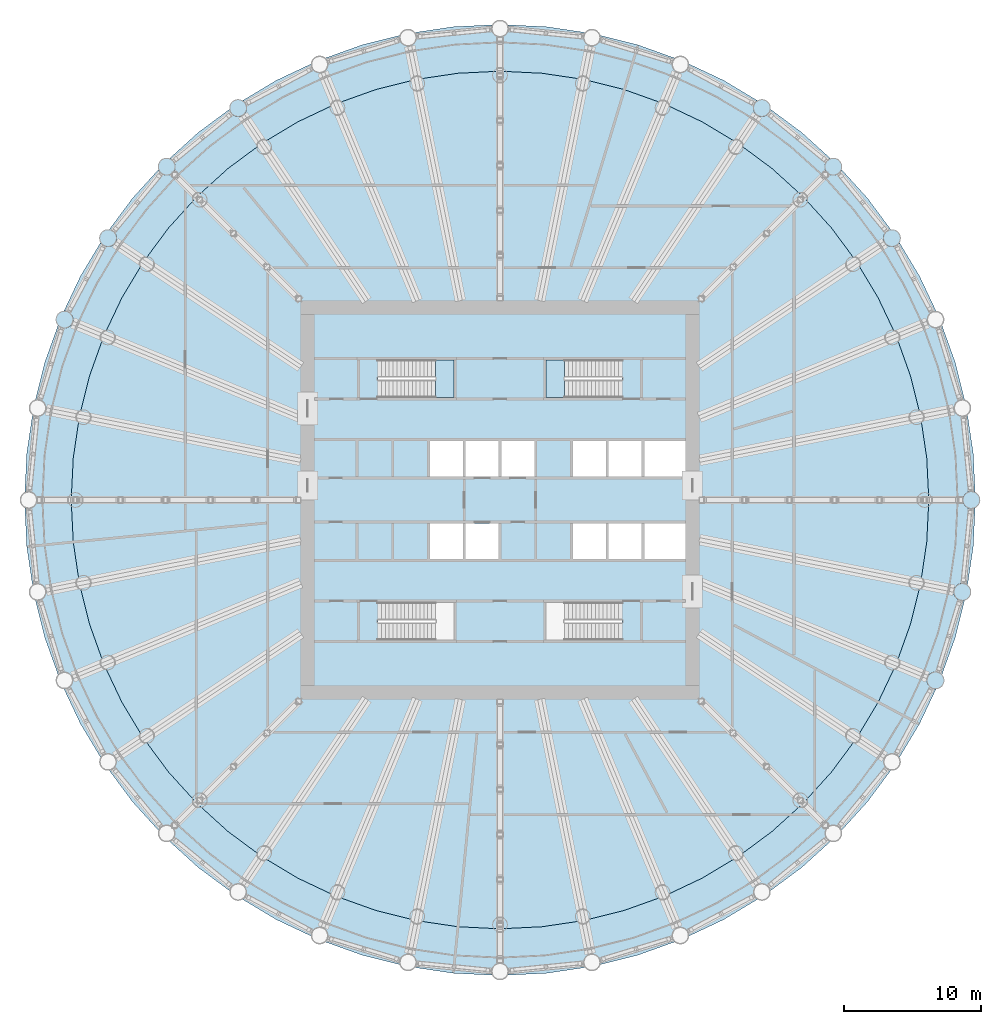
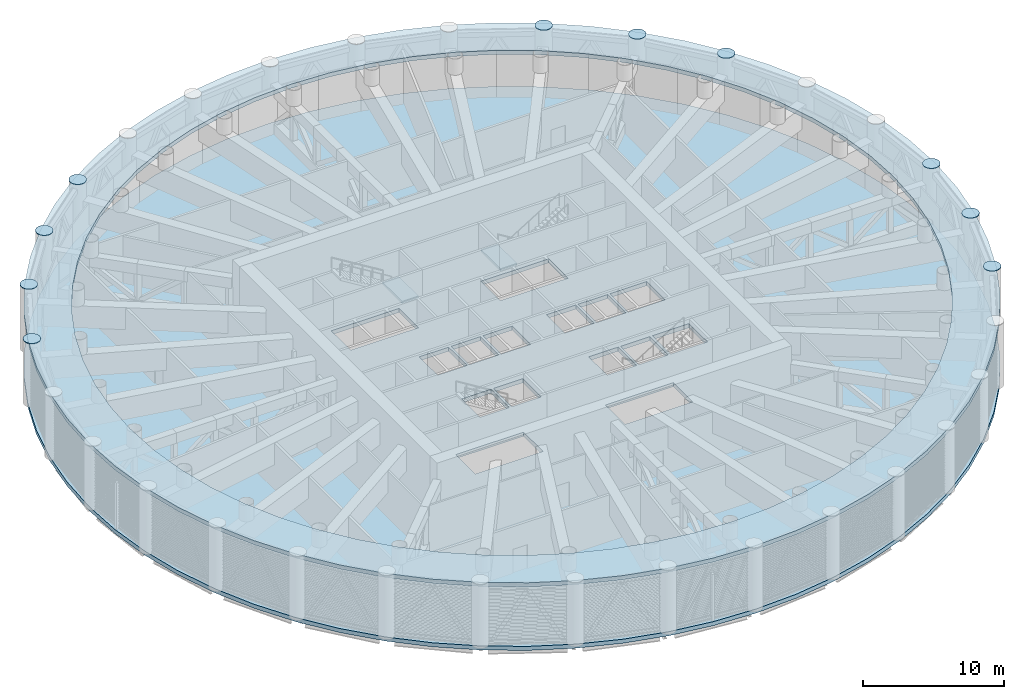
# One storey, part 10 of 29: 10 plates, 4 slabs, 2 elements without a shape of their own.
"""IFC4 building model written with IfcOpenShell, lengths in metres."""

from ifc_helpers import new_model, si_unit, direction, frame, origin, place, context, subcontext, project, spatial, polyline, outline, extrude, material, layer, layer_set, type_object, element, aggregate, save


model = new_model("IFC4")

# Units and contexts
model_context = context("Model", 3, precision=1e-05, world=origin(), true_north=direction((0.0, 1.0)))
body_context = subcontext(model_context, "Body", "Model", "MODEL_VIEW")
ifc_project = project(units=[si_unit("LENGTHUNIT", "METRE"), si_unit("AREAUNIT", "SQUARE_METRE"), si_unit("VOLUMEUNIT", "CUBIC_METRE"), si_unit("PLANEANGLEUNIT", "RADIAN"), si_unit("MASSUNIT", "GRAM", prefix="KILO")], contexts=[model_context])

# Site, building, storey
site_placement = place(None, origin())
site = spatial("IfcSite", under=ifc_project, at=site_placement, CompositionType="ELEMENT")
building_placement = place(site_placement, origin())
building = spatial("IfcBuilding", under=site, at=building_placement, Name="Corvane Civic Tower", CompositionType="ELEMENT")
storey_placement = place(building_placement, frame((0.0, 0.0, 138.5)))
storey = spatial("IfcBuildingStorey", under=building, at=storey_placement, Name="L32", CompositionType="ELEMENT", Elevation=138.5)

# Plates
ifc_material_1 = material(Name="Steel ASTM A572 Gr 50", Category="steel")
ifc_layer_1 = layer(ifc_material_1, 0.050048828125)
ifc_layer_set_1 = layer_set([ifc_layer_1], Name="Steel ASTM A572 Gr 50")
plate_type = type_object("IfcPlateType", Name="COLUMN CAP PLATE 50", PredefinedType="SHEET", material=ifc_layer_set_1)
plate_1_placement = place(storey_placement, frame((0.0, 0.0, 5.5)))
element("IfcPlate", 1, at=plate_1_placement, inside=storey, type_object=plate_type, Name="PL-L32-cap-B04", PredefinedType="SHEET", context=body_context, shape_type="SweptSolid", body=[
    extrude(outline(polyline([(19.68115234375, 28.519287109375), (19.67578125, 28.600830078125), (19.659912109375, 28.680908203125), (19.633544921875, 28.758544921875), (19.597412109375, 28.831787109375), (19.552001953125, 28.89990234375), (19.498046875, 28.961181640625), (19.4365234375, 29.01513671875), (19.36865234375, 29.060546875), (19.29541015625, 29.0966796875), (19.218017578125, 29.123046875), (19.1376953125, 29.138916015625), (19.05615234375, 29.144287109375), (18.974609375, 29.138916015625), (18.894287109375, 29.123046875), (18.81689453125, 29.0966796875), (18.74365234375, 29.060546875), (18.67578125, 29.01513671875), (18.6142578125, 28.961181640625), (18.560302734375, 28.89990234375), (18.514892578125, 28.831787109375), (18.478759765625, 28.758544921875), (18.452392578125, 28.680908203125), (18.4365234375, 28.600830078125), (18.43115234375, 28.519287109375), (18.4365234375, 28.437744140625), (18.452392578125, 28.357421875), (18.478759765625, 28.280029296875), (18.514892578125, 28.206787109375), (18.560302734375, 28.138916015625), (18.6142578125, 28.077392578125), (18.67578125, 28.0234375), (18.74365234375, 27.97802734375), (18.81689453125, 27.94189453125), (18.894287109375, 27.91552734375), (18.974609375, 27.899658203125), (19.05615234375, 27.894287109375), (19.1376953125, 27.899658203125), (19.218017578125, 27.91552734375), (19.29541015625, 27.94189453125), (19.36865234375, 27.97802734375), (19.4365234375, 28.0234375), (19.498046875, 28.077392578125), (19.552001953125, 28.138916015625), (19.597412109375, 28.206787109375), (19.633544921875, 28.280029296875), (19.659912109375, 28.357421875), (19.67578125, 28.437744140625), (19.68115234375, 28.519287109375)])), origin(), (0.0, 0.0, 1.0), 0.050048828125),
])
plate_2_placement = place(storey_placement, frame((0.0, 0.0, 5.5)))
element("IfcPlate", 2, at=plate_2_placement, inside=storey, type_object=plate_type, Name="PL-L32-cap-B05", PredefinedType="SHEET", context=body_context, shape_type="SweptSolid", body=[
    extrude(outline(polyline([(24.878662109375, 24.253662109375), (24.873291015625, 24.335205078125), (24.857421875, 24.415283203125), (24.8310546875, 24.492919921875), (24.794921875, 24.566162109375), (24.74951171875, 24.634033203125), (24.695556640625, 24.695556640625), (24.634033203125, 24.74951171875), (24.566162109375, 24.794921875), (24.492919921875, 24.8310546875), (24.415283203125, 24.857421875), (24.335205078125, 24.873291015625), (24.253662109375, 24.878662109375), (24.172119140625, 24.873291015625), (24.091796875, 24.857421875), (24.014404296875, 24.8310546875), (23.941162109375, 24.794921875), (23.873291015625, 24.74951171875), (23.811767578125, 24.695556640625), (23.7578125, 24.634033203125), (23.71240234375, 24.566162109375), (23.67626953125, 24.492919921875), (23.64990234375, 24.415283203125), (23.634033203125, 24.335205078125), (23.628662109375, 24.253662109375), (23.634033203125, 24.172119140625), (23.64990234375, 24.091796875), (23.67626953125, 24.014404296875), (23.71240234375, 23.941162109375), (23.7578125, 23.873291015625), (23.811767578125, 23.811767578125), (23.873291015625, 23.7578125), (23.941162109375, 23.71240234375), (24.014404296875, 23.67626953125), (24.091796875, 23.64990234375), (24.172119140625, 23.634033203125), (24.253662109375, 23.628662109375), (24.335205078125, 23.634033203125), (24.415283203125, 23.64990234375), (24.492919921875, 23.67626953125), (24.566162109375, 23.71240234375), (24.634033203125, 23.7578125), (24.695556640625, 23.811767578125), (24.74951171875, 23.873291015625), (24.794921875, 23.941162109375), (24.8310546875, 24.014404296875), (24.857421875, 24.091796875), (24.873291015625, 24.172119140625), (24.878662109375, 24.253662109375)])), origin(), (0.0, 0.0, 1.0), 0.050048828125),
])
plate_3_placement = place(storey_placement, frame((0.0, 0.0, 5.5)))
element("IfcPlate", 3, at=plate_3_placement, inside=storey, type_object=plate_type, Name="PL-L32-cap-B06", PredefinedType="SHEET", context=body_context, shape_type="SweptSolid", body=[
    extrude(outline(polyline([(29.144287109375, 19.05615234375), (29.138916015625, 19.1376953125), (29.123046875, 19.218017578125), (29.0966796875, 19.29541015625), (29.060546875, 19.36865234375), (29.01513671875, 19.4365234375), (28.961181640625, 19.498046875), (28.89990234375, 19.552001953125), (28.831787109375, 19.597412109375), (28.758544921875, 19.633544921875), (28.680908203125, 19.659912109375), (28.600830078125, 19.67578125), (28.519287109375, 19.68115234375), (28.437744140625, 19.67578125), (28.357421875, 19.659912109375), (28.280029296875, 19.633544921875), (28.206787109375, 19.597412109375), (28.138916015625, 19.552001953125), (28.077392578125, 19.498046875), (28.0234375, 19.4365234375), (27.97802734375, 19.36865234375), (27.94189453125, 19.29541015625), (27.91552734375, 19.218017578125), (27.899658203125, 19.1376953125), (27.894287109375, 19.05615234375), (27.899658203125, 18.974609375), (27.91552734375, 18.894287109375), (27.94189453125, 18.81689453125), (27.97802734375, 18.74365234375), (28.0234375, 18.67578125), (28.077392578125, 18.6142578125), (28.138916015625, 18.560302734375), (28.206787109375, 18.514892578125), (28.280029296875, 18.478759765625), (28.357421875, 18.452392578125), (28.437744140625, 18.4365234375), (28.519287109375, 18.43115234375), (28.600830078125, 18.4365234375), (28.680908203125, 18.452392578125), (28.758544921875, 18.478759765625), (28.831787109375, 18.514892578125), (28.89990234375, 18.560302734375), (28.961181640625, 18.6142578125), (29.01513671875, 18.67578125), (29.060546875, 18.74365234375), (29.0966796875, 18.81689453125), (29.123046875, 18.894287109375), (29.138916015625, 18.974609375), (29.144287109375, 19.05615234375)])), origin(), (0.0, 0.0, 1.0), 0.050048828125),
])
plate_4_placement = place(storey_placement, frame((0.0, 0.0, 5.5)))
element("IfcPlate", 4, at=plate_4_placement, inside=storey, type_object=plate_type, Name="PL-L32-cap-B09", PredefinedType="SHEET", context=body_context, shape_type="SweptSolid", body=[
    extrude(outline(polyline([(34.925048828125, 0.0), (34.919677734375, 0.08154296875), (34.90380859375, 0.161865234375), (34.87744140625, 0.2392578125), (34.84130859375, 0.3125), (34.7958984375, 0.380615234375), (34.741943359375, 0.44189453125), (34.680419921875, 0.495849609375), (34.612548828125, 0.541259765625), (34.539306640625, 0.577392578125), (34.4619140625, 0.603759765625), (34.381591796875, 0.61962890625), (34.300048828125, 0.625), (34.218505859375, 0.61962890625), (34.13818359375, 0.603759765625), (34.060791015625, 0.577392578125), (33.987548828125, 0.541259765625), (33.919677734375, 0.495849609375), (33.858154296875, 0.44189453125), (33.80419921875, 0.380615234375), (33.7587890625, 0.3125), (33.72265625, 0.2392578125), (33.6962890625, 0.161865234375), (33.680419921875, 0.08154296875), (33.675048828125, 0.0), (33.680419921875, -0.08154296875), (33.6962890625, -0.161865234375), (33.72265625, -0.2392578125), (33.7587890625, -0.3125), (33.80419921875, -0.380615234375), (33.858154296875, -0.44189453125), (33.919677734375, -0.495849609375), (33.987548828125, -0.541259765625), (34.060791015625, -0.577392578125), (34.13818359375, -0.603759765625), (34.218505859375, -0.61962890625), (34.300048828125, -0.625), (34.381591796875, -0.61962890625), (34.4619140625, -0.603759765625), (34.539306640625, -0.577392578125), (34.612548828125, -0.541259765625), (34.680419921875, -0.495849609375), (34.741943359375, -0.44189453125), (34.7958984375, -0.380615234375), (34.84130859375, -0.3125), (34.87744140625, -0.2392578125), (34.90380859375, -0.161865234375), (34.919677734375, -0.08154296875), (34.925048828125, 0.0)])), origin(), (0.0, 0.0, 1.0), 0.050048828125),
])
plate_5_placement = place(storey_placement, frame((0.0, 0.0, 5.5)))
element("IfcPlate", 5, at=plate_5_placement, inside=storey, type_object=plate_type, Name="PL-L32-cap-B10", PredefinedType="SHEET", context=body_context, shape_type="SweptSolid", body=[
    extrude(outline(polyline([(34.265869140625, -6.691650390625), (34.260498046875, -6.610107421875), (34.24462890625, -6.52978515625), (34.21826171875, -6.452392578125), (34.18212890625, -6.379150390625), (34.13671875, -6.311279296875), (34.082763671875, -6.249755859375), (34.021240234375, -6.19580078125), (33.953369140625, -6.150390625), (33.8798828125, -6.1142578125), (33.802490234375, -6.087890625), (33.722412109375, -6.072021484375), (33.640869140625, -6.066650390625), (33.559326171875, -6.072021484375), (33.47900390625, -6.087890625), (33.401611328125, -6.1142578125), (33.328369140625, -6.150390625), (33.260498046875, -6.19580078125), (33.198974609375, -6.249755859375), (33.14501953125, -6.311279296875), (33.099609375, -6.379150390625), (33.0634765625, -6.452392578125), (33.037109375, -6.52978515625), (33.021240234375, -6.610107421875), (33.015869140625, -6.691650390625), (33.021240234375, -6.773193359375), (33.037109375, -6.853515625), (33.0634765625, -6.930908203125), (33.099609375, -7.004150390625), (33.14501953125, -7.072021484375), (33.198974609375, -7.133544921875), (33.260498046875, -7.1875), (33.328369140625, -7.23291015625), (33.401611328125, -7.26904296875), (33.47900390625, -7.29541015625), (33.559326171875, -7.311279296875), (33.640869140625, -7.316650390625), (33.722412109375, -7.311279296875), (33.802490234375, -7.29541015625), (33.8798828125, -7.26904296875), (33.953369140625, -7.23291015625), (34.021240234375, -7.1875), (34.082763671875, -7.133544921875), (34.13671875, -7.072021484375), (34.18212890625, -7.004150390625), (34.21826171875, -6.930908203125), (34.24462890625, -6.853515625), (34.260498046875, -6.773193359375), (34.265869140625, -6.691650390625)])), origin(), (0.0, 0.0, 1.0), 0.050048828125),
])
plate_6_placement = place(storey_placement, frame((0.0, 0.0, 5.5)))
element("IfcPlate", 6, at=plate_6_placement, inside=storey, type_object=plate_type, Name="PL-L32-cap-B11", PredefinedType="SHEET", context=body_context, shape_type="SweptSolid", body=[
    extrude(outline(polyline([(32.31396484375, -13.1259765625), (32.30859375, -13.04443359375), (32.292724609375, -12.964111328125), (32.266357421875, -12.88671875), (32.230224609375, -12.8134765625), (32.184814453125, -12.74560546875), (32.130859375, -12.68408203125), (32.0693359375, -12.630126953125), (32.00146484375, -12.584716796875), (31.927978515625, -12.548583984375), (31.8505859375, -12.522216796875), (31.7705078125, -12.50634765625), (31.68896484375, -12.5009765625), (31.607421875, -12.50634765625), (31.527099609375, -12.522216796875), (31.44970703125, -12.548583984375), (31.37646484375, -12.584716796875), (31.30859375, -12.630126953125), (31.2470703125, -12.68408203125), (31.193115234375, -12.74560546875), (31.147705078125, -12.8134765625), (31.111572265625, -12.88671875), (31.085205078125, -12.964111328125), (31.0693359375, -13.04443359375), (31.06396484375, -13.1259765625), (31.0693359375, -13.20751953125), (31.085205078125, -13.28759765625), (31.111572265625, -13.365234375), (31.147705078125, -13.4384765625), (31.193115234375, -13.506591796875), (31.2470703125, -13.56787109375), (31.30859375, -13.621826171875), (31.37646484375, -13.667236328125), (31.44970703125, -13.703369140625), (31.527099609375, -13.729736328125), (31.607421875, -13.74560546875), (31.68896484375, -13.7509765625), (31.7705078125, -13.74560546875), (31.8505859375, -13.729736328125), (31.927978515625, -13.703369140625), (32.00146484375, -13.667236328125), (32.0693359375, -13.621826171875), (32.130859375, -13.56787109375), (32.184814453125, -13.506591796875), (32.230224609375, -13.4384765625), (32.266357421875, -13.365234375), (32.292724609375, -13.28759765625), (32.30859375, -13.20751953125), (32.31396484375, -13.1259765625)])), origin(), (0.0, 0.0, 1.0), 0.050048828125),
])
plate_7_placement = place(storey_placement, frame((0.0, 0.0, 5.5)))
element("IfcPlate", 7, at=plate_7_placement, inside=storey, type_object=plate_type, Name="PL-L32-cap-B27", PredefinedType="SHEET", context=body_context, shape_type="SweptSolid", body=[
    extrude(outline(polyline([(-31.06396484375, 13.1259765625), (-31.0693359375, 13.20751953125), (-31.085205078125, 13.28759765625), (-31.111572265625, 13.365234375), (-31.147705078125, 13.4384765625), (-31.193115234375, 13.506591796875), (-31.2470703125, 13.56787109375), (-31.30859375, 13.621826171875), (-31.37646484375, 13.667236328125), (-31.44970703125, 13.703369140625), (-31.527099609375, 13.729736328125), (-31.607421875, 13.74560546875), (-31.68896484375, 13.7509765625), (-31.7705078125, 13.74560546875), (-31.8505859375, 13.729736328125), (-31.927978515625, 13.703369140625), (-32.00146484375, 13.667236328125), (-32.0693359375, 13.621826171875), (-32.130859375, 13.56787109375), (-32.184814453125, 13.506591796875), (-32.230224609375, 13.4384765625), (-32.266357421875, 13.365234375), (-32.292724609375, 13.28759765625), (-32.30859375, 13.20751953125), (-32.31396484375, 13.1259765625), (-32.30859375, 13.04443359375), (-32.292724609375, 12.964111328125), (-32.266357421875, 12.88671875), (-32.230224609375, 12.8134765625), (-32.184814453125, 12.74560546875), (-32.130859375, 12.68408203125), (-32.0693359375, 12.630126953125), (-32.00146484375, 12.584716796875), (-31.927978515625, 12.548583984375), (-31.8505859375, 12.522216796875), (-31.7705078125, 12.50634765625), (-31.68896484375, 12.5009765625), (-31.607421875, 12.50634765625), (-31.527099609375, 12.522216796875), (-31.44970703125, 12.548583984375), (-31.37646484375, 12.584716796875), (-31.30859375, 12.630126953125), (-31.2470703125, 12.68408203125), (-31.193115234375, 12.74560546875), (-31.147705078125, 12.8134765625), (-31.111572265625, 12.88671875), (-31.085205078125, 12.964111328125), (-31.0693359375, 13.04443359375), (-31.06396484375, 13.1259765625)])), origin(), (0.0, 0.0, 1.0), 0.050048828125),
])
plate_8_placement = place(storey_placement, frame((0.0, 0.0, 5.5)))
element("IfcPlate", 8, at=plate_8_placement, inside=storey, type_object=plate_type, Name="PL-L32-cap-B28", PredefinedType="SHEET", context=body_context, shape_type="SweptSolid", body=[
    extrude(outline(polyline([(-27.894287109375, 19.05615234375), (-27.899658203125, 19.1376953125), (-27.91552734375, 19.218017578125), (-27.94189453125, 19.29541015625), (-27.97802734375, 19.36865234375), (-28.0234375, 19.4365234375), (-28.077392578125, 19.498046875), (-28.138916015625, 19.552001953125), (-28.206787109375, 19.597412109375), (-28.280029296875, 19.633544921875), (-28.357421875, 19.659912109375), (-28.437744140625, 19.67578125), (-28.519287109375, 19.68115234375), (-28.600830078125, 19.67578125), (-28.680908203125, 19.659912109375), (-28.758544921875, 19.633544921875), (-28.831787109375, 19.597412109375), (-28.89990234375, 19.552001953125), (-28.961181640625, 19.498046875), (-29.01513671875, 19.4365234375), (-29.060546875, 19.36865234375), (-29.0966796875, 19.29541015625), (-29.123046875, 19.218017578125), (-29.138916015625, 19.1376953125), (-29.144287109375, 19.05615234375), (-29.138916015625, 18.974609375), (-29.123046875, 18.894287109375), (-29.0966796875, 18.81689453125), (-29.060546875, 18.74365234375), (-29.01513671875, 18.67578125), (-28.961181640625, 18.6142578125), (-28.89990234375, 18.560302734375), (-28.831787109375, 18.514892578125), (-28.758544921875, 18.478759765625), (-28.680908203125, 18.452392578125), (-28.600830078125, 18.4365234375), (-28.519287109375, 18.43115234375), (-28.437744140625, 18.4365234375), (-28.357421875, 18.452392578125), (-28.280029296875, 18.478759765625), (-28.206787109375, 18.514892578125), (-28.138916015625, 18.560302734375), (-28.077392578125, 18.6142578125), (-28.0234375, 18.67578125), (-27.97802734375, 18.74365234375), (-27.94189453125, 18.81689453125), (-27.91552734375, 18.894287109375), (-27.899658203125, 18.974609375), (-27.894287109375, 19.05615234375)])), origin(), (0.0, 0.0, 1.0), 0.050048828125),
])
plate_9_placement = place(storey_placement, frame((0.0, 0.0, 5.5)))
element("IfcPlate", 9, at=plate_9_placement, inside=storey, type_object=plate_type, Name="PL-L32-cap-B29", PredefinedType="SHEET", context=body_context, shape_type="SweptSolid", body=[
    extrude(outline(polyline([(-23.628662109375, 24.253662109375), (-23.634033203125, 24.335205078125), (-23.64990234375, 24.415283203125), (-23.67626953125, 24.492919921875), (-23.71240234375, 24.566162109375), (-23.7578125, 24.634033203125), (-23.811767578125, 24.695556640625), (-23.873291015625, 24.74951171875), (-23.941162109375, 24.794921875), (-24.014404296875, 24.8310546875), (-24.091796875, 24.857421875), (-24.172119140625, 24.873291015625), (-24.253662109375, 24.878662109375), (-24.335205078125, 24.873291015625), (-24.415283203125, 24.857421875), (-24.492919921875, 24.8310546875), (-24.566162109375, 24.794921875), (-24.634033203125, 24.74951171875), (-24.695556640625, 24.695556640625), (-24.74951171875, 24.634033203125), (-24.794921875, 24.566162109375), (-24.8310546875, 24.492919921875), (-24.857421875, 24.415283203125), (-24.873291015625, 24.335205078125), (-24.878662109375, 24.253662109375), (-24.873291015625, 24.172119140625), (-24.857421875, 24.091796875), (-24.8310546875, 24.014404296875), (-24.794921875, 23.941162109375), (-24.74951171875, 23.873291015625), (-24.695556640625, 23.811767578125), (-24.634033203125, 23.7578125), (-24.566162109375, 23.71240234375), (-24.492919921875, 23.67626953125), (-24.415283203125, 23.64990234375), (-24.335205078125, 23.634033203125), (-24.253662109375, 23.628662109375), (-24.172119140625, 23.634033203125), (-24.091796875, 23.64990234375), (-24.014404296875, 23.67626953125), (-23.941162109375, 23.71240234375), (-23.873291015625, 23.7578125), (-23.811767578125, 23.811767578125), (-23.7578125, 23.873291015625), (-23.71240234375, 23.941162109375), (-23.67626953125, 24.014404296875), (-23.64990234375, 24.091796875), (-23.634033203125, 24.172119140625), (-23.628662109375, 24.253662109375)])), origin(), (0.0, 0.0, 1.0), 0.050048828125),
])
plate_10_placement = place(storey_placement, frame((0.0, 0.0, 5.5)))
element("IfcPlate", 10, at=plate_10_placement, inside=storey, type_object=plate_type, Name="PL-L32-cap-B30", PredefinedType="SHEET", context=body_context, shape_type="SweptSolid", body=[
    extrude(outline(polyline([(-18.43115234375, 28.519287109375), (-18.4365234375, 28.600830078125), (-18.452392578125, 28.680908203125), (-18.478759765625, 28.758544921875), (-18.514892578125, 28.831787109375), (-18.560302734375, 28.89990234375), (-18.6142578125, 28.961181640625), (-18.67578125, 29.01513671875), (-18.74365234375, 29.060546875), (-18.81689453125, 29.0966796875), (-18.894287109375, 29.123046875), (-18.974609375, 29.138916015625), (-19.05615234375, 29.144287109375), (-19.1376953125, 29.138916015625), (-19.218017578125, 29.123046875), (-19.29541015625, 29.0966796875), (-19.36865234375, 29.060546875), (-19.4365234375, 29.01513671875), (-19.498046875, 28.961181640625), (-19.552001953125, 28.89990234375), (-19.597412109375, 28.831787109375), (-19.633544921875, 28.758544921875), (-19.659912109375, 28.680908203125), (-19.67578125, 28.600830078125), (-19.68115234375, 28.519287109375), (-19.67578125, 28.437744140625), (-19.659912109375, 28.357421875), (-19.633544921875, 28.280029296875), (-19.597412109375, 28.206787109375), (-19.552001953125, 28.138916015625), (-19.498046875, 28.077392578125), (-19.4365234375, 28.0234375), (-19.36865234375, 27.97802734375), (-19.29541015625, 27.94189453125), (-19.218017578125, 27.91552734375), (-19.1376953125, 27.899658203125), (-19.05615234375, 27.894287109375), (-18.974609375, 27.899658203125), (-18.894287109375, 27.91552734375), (-18.81689453125, 27.94189453125), (-18.74365234375, 27.97802734375), (-18.67578125, 28.0234375), (-18.6142578125, 28.077392578125), (-18.560302734375, 28.138916015625), (-18.514892578125, 28.206787109375), (-18.478759765625, 28.280029296875), (-18.452392578125, 28.357421875), (-18.4365234375, 28.437744140625), (-18.43115234375, 28.519287109375)])), origin(), (0.0, 0.0, 1.0), 0.050048828125),
])

# Slabs
ifc_material_2 = material(Name="Concrete C40/50", Category="concrete")
ifc_layer_2 = layer(ifc_material_2, 0.35009765625)
ifc_layer_set_2 = layer_set([ifc_layer_2], Name="Concrete C40/50")
slab_type_1 = type_object("IfcSlabType", Name="FLOOR SLAB 350", PredefinedType="FLOOR", material=ifc_layer_set_2)
slab_1_placement = place(storey_placement, frame((0.0, 0.0, -0.35009765625)))
element("IfcSlab", 11, at=slab_1_placement, inside=storey, type_object=slab_type_1, Name="SLB-L32", PredefinedType="FLOOR", context=body_context, shape_type="SweptSolid", body=[
    extrude(outline(polyline([(0.0, 34.60009765625), (-3.391357421875, 34.433349609375), (-6.750244140625, 33.93505859375), (-10.0439453125, 33.110107421875), (-13.240966796875, 31.96630859375), (-16.310302734375, 30.514404296875), (-19.22265625, 28.768798828125), (-21.949951171875, 26.74609375), (-24.4658203125, 24.4658203125), (-26.74609375, 21.949951171875), (-28.768798828125, 19.22265625), (-30.514404296875, 16.310302734375), (-31.96630859375, 13.240966796875), (-33.110107421875, 10.0439453125), (-33.93505859375, 6.750244140625), (-34.433349609375, 3.391357421875), (-34.60009765625, 0.0), (-34.433349609375, -3.391357421875), (-33.93505859375, -6.750244140625), (-33.110107421875, -10.0439453125), (-31.96630859375, -13.240966796875), (-30.514404296875, -16.310302734375), (-28.768798828125, -19.22265625), (-26.74609375, -21.949951171875), (-24.4658203125, -24.4658203125), (-21.949951171875, -26.74609375), (-19.22265625, -28.768798828125), (-16.310302734375, -30.514404296875), (-13.240966796875, -31.96630859375), (-10.0439453125, -33.110107421875), (-6.750244140625, -33.93505859375), (-3.391357421875, -34.433349609375), (0.0, -34.60009765625), (3.391357421875, -34.433349609375), (6.750244140625, -33.93505859375), (10.0439453125, -33.110107421875), (13.240966796875, -31.96630859375), (16.310302734375, -30.514404296875), (19.22265625, -28.768798828125), (21.949951171875, -26.74609375), (24.4658203125, -24.4658203125), (26.74609375, -21.949951171875), (28.768798828125, -19.22265625), (30.514404296875, -16.310302734375), (31.96630859375, -13.240966796875), (33.110107421875, -10.0439453125), (33.93505859375, -6.750244140625), (34.433349609375, -3.391357421875), (34.60009765625, 0.0), (34.433349609375, 3.391357421875), (33.93505859375, 6.750244140625), (33.110107421875, 10.0439453125), (31.96630859375, 13.240966796875), (30.514404296875, 16.310302734375), (28.768798828125, 19.22265625), (26.74609375, 21.949951171875), (24.4658203125, 24.4658203125), (21.949951171875, 26.74609375), (19.22265625, 28.768798828125), (16.310302734375, 30.514404296875), (13.240966796875, 31.96630859375), (10.0439453125, 33.110107421875), (6.750244140625, 33.93505859375), (3.391357421875, 34.433349609375), (0.0, 34.60009765625)]), holes=[polyline([(-2.699951171875, 1.699951171875), (-5.10009765625, 1.699951171875), (-5.10009765625, 4.300048828125), (-2.699951171875, 4.300048828125), (-2.699951171875, 1.699951171875)]), polyline([(-2.5, 4.300048828125), (-0.10009765625, 4.300048828125), (-0.10009765625, 1.699951171875), (-2.5, 1.699951171875), (-2.5, 4.300048828125)]), polyline([(0.10009765625, 4.300048828125), (2.5, 4.300048828125), (2.5, 1.699951171875), (0.10009765625, 1.699951171875), (0.10009765625, 4.300048828125)]), polyline([(5.300048828125, 4.300048828125), (7.699951171875, 4.300048828125), (7.699951171875, 1.699951171875), (5.300048828125, 1.699951171875), (5.300048828125, 4.300048828125)]), polyline([(7.89990234375, 4.300048828125), (10.300048828125, 4.300048828125), (10.300048828125, 1.699951171875), (7.89990234375, 1.699951171875), (7.89990234375, 4.300048828125)]), polyline([(13.5, 1.699951171875), (10.5, 1.699951171875), (10.5, 4.300048828125), (13.5, 4.300048828125), (13.5, 1.699951171875)]), polyline([(-5.10009765625, -4.300048828125), (-5.10009765625, -1.699951171875), (-2.699951171875, -1.699951171875), (-2.699951171875, -4.300048828125), (-5.10009765625, -4.300048828125)]), polyline([(-0.10009765625, -1.699951171875), (-0.10009765625, -4.300048828125), (-2.5, -4.300048828125), (-2.5, -1.699951171875), (-0.10009765625, -1.699951171875)]), polyline([(7.699951171875, -1.699951171875), (7.699951171875, -4.300048828125), (5.300048828125, -4.300048828125), (5.300048828125, -1.699951171875), (7.699951171875, -1.699951171875)]), polyline([(10.300048828125, -1.699951171875), (10.300048828125, -4.300048828125), (7.89990234375, -4.300048828125), (7.89990234375, -1.699951171875), (10.300048828125, -1.699951171875)]), polyline([(13.5, -4.300048828125), (10.5, -4.300048828125), (10.5, -1.699951171875), (13.5, -1.699951171875), (13.5, -4.300048828125)]), polyline([(8.889892578125, 10.199951171875), (8.889892578125, 7.449951171875), (3.35009765625, 7.449951171875), (3.35009765625, 10.199951171875), (8.889892578125, 10.199951171875)]), polyline([(-8.889892578125, 7.449951171875), (-8.889892578125, 10.199951171875), (-3.35009765625, 10.199951171875), (-3.35009765625, 7.449951171875), (-8.889892578125, 7.449951171875)]), polyline([(8.889892578125, -7.449951171875), (8.889892578125, -10.199951171875), (3.35009765625, -10.199951171875), (3.35009765625, -7.449951171875), (8.889892578125, -7.449951171875)]), polyline([(-8.889892578125, -10.199951171875), (-8.889892578125, -7.449951171875), (-3.35009765625, -7.449951171875), (-3.35009765625, -10.199951171875), (-8.889892578125, -10.199951171875)])]), origin(), (0.0, 0.0, 1.0), 0.35009765625),
])
ifc_material_3 = material(Name="Concrete C40/50", Category="concrete")
ifc_layer_3 = layer(ifc_material_3, 0.35009765625)
ifc_layer_set_3 = layer_set([ifc_layer_3], Name="Concrete C40/50")
slab_type_2 = type_object("IfcSlabType", Name="SETBACK ROOF SLAB 350", PredefinedType="ROOF", material=ifc_layer_set_3)
slab_2_placement = place(storey_placement, frame((0.0, 0.0, 5.14990234375)))
element("IfcSlab", 12, at=slab_2_placement, inside=storey, type_object=slab_type_2, Name="SLB-L32-roof", PredefinedType="ROOF", context=body_context, shape_type="SweptSolid", body=[
    extrude(outline(polyline([(0.0, 34.60009765625), (-3.391357421875, 34.433349609375), (-6.750244140625, 33.93505859375), (-10.0439453125, 33.110107421875), (-13.240966796875, 31.96630859375), (-16.310302734375, 30.514404296875), (-19.22265625, 28.768798828125), (-21.949951171875, 26.74609375), (-24.4658203125, 24.4658203125), (-26.74609375, 21.949951171875), (-28.768798828125, 19.22265625), (-30.514404296875, 16.310302734375), (-31.96630859375, 13.240966796875), (-33.110107421875, 10.0439453125), (-33.93505859375, 6.750244140625), (-34.433349609375, 3.391357421875), (-34.60009765625, 0.0), (-34.433349609375, -3.391357421875), (-33.93505859375, -6.750244140625), (-33.110107421875, -10.0439453125), (-31.96630859375, -13.240966796875), (-30.514404296875, -16.310302734375), (-28.768798828125, -19.22265625), (-26.74609375, -21.949951171875), (-24.4658203125, -24.4658203125), (-21.949951171875, -26.74609375), (-19.22265625, -28.768798828125), (-16.310302734375, -30.514404296875), (-13.240966796875, -31.96630859375), (-10.0439453125, -33.110107421875), (-6.750244140625, -33.93505859375), (-3.391357421875, -34.433349609375), (0.0, -34.60009765625), (3.391357421875, -34.433349609375), (6.750244140625, -33.93505859375), (10.0439453125, -33.110107421875), (13.240966796875, -31.96630859375), (16.310302734375, -30.514404296875), (19.22265625, -28.768798828125), (21.949951171875, -26.74609375), (24.4658203125, -24.4658203125), (26.74609375, -21.949951171875), (28.768798828125, -19.22265625), (30.514404296875, -16.310302734375), (31.96630859375, -13.240966796875), (33.110107421875, -10.0439453125), (33.93505859375, -6.750244140625), (34.433349609375, -3.391357421875), (34.60009765625, 0.0), (34.433349609375, 3.391357421875), (33.93505859375, 6.750244140625), (33.110107421875, 10.0439453125), (31.96630859375, 13.240966796875), (30.514404296875, 16.310302734375), (28.768798828125, 19.22265625), (26.74609375, 21.949951171875), (24.4658203125, 24.4658203125), (21.949951171875, 26.74609375), (19.22265625, 28.768798828125), (16.310302734375, 30.514404296875), (13.240966796875, 31.96630859375), (10.0439453125, 33.110107421875), (6.750244140625, 33.93505859375), (3.391357421875, 34.433349609375), (0.0, 34.60009765625)]), holes=[polyline([(0.0, 31.199951171875), (-3.05810546875, 31.0498046875), (-6.0869140625, 30.6005859375), (-9.056884765625, 29.8564453125), (-11.939697265625, 28.824951171875), (-14.70751953125, 27.515869140625), (-17.333740234375, 25.94189453125), (-19.79296875, 24.117919921875), (-22.061767578125, 22.061767578125), (-24.117919921875, 19.79296875), (-25.94189453125, 17.333740234375), (-27.515869140625, 14.70751953125), (-28.824951171875, 11.939697265625), (-29.8564453125, 9.056884765625), (-30.6005859375, 6.0869140625), (-31.0498046875, 3.05810546875), (-31.199951171875, 0.0), (-31.0498046875, -3.05810546875), (-30.6005859375, -6.0869140625), (-29.8564453125, -9.056884765625), (-28.824951171875, -11.939697265625), (-27.515869140625, -14.70751953125), (-25.94189453125, -17.333740234375), (-24.117919921875, -19.79296875), (-22.061767578125, -22.061767578125), (-19.79296875, -24.117919921875), (-17.333740234375, -25.94189453125), (-14.70751953125, -27.515869140625), (-11.939697265625, -28.824951171875), (-9.056884765625, -29.8564453125), (-6.0869140625, -30.6005859375), (-3.05810546875, -31.0498046875), (0.0, -31.199951171875), (3.05810546875, -31.0498046875), (6.0869140625, -30.6005859375), (9.056884765625, -29.8564453125), (11.939697265625, -28.824951171875), (14.70751953125, -27.515869140625), (17.333740234375, -25.94189453125), (19.79296875, -24.117919921875), (22.061767578125, -22.061767578125), (24.117919921875, -19.79296875), (25.94189453125, -17.333740234375), (27.515869140625, -14.70751953125), (28.824951171875, -11.939697265625), (29.8564453125, -9.056884765625), (30.6005859375, -6.0869140625), (31.0498046875, -3.05810546875), (31.199951171875, 0.0), (31.0498046875, 3.05810546875), (30.6005859375, 6.0869140625), (29.8564453125, 9.056884765625), (28.824951171875, 11.939697265625), (27.515869140625, 14.70751953125), (25.94189453125, 17.333740234375), (24.117919921875, 19.79296875), (22.061767578125, 22.061767578125), (19.79296875, 24.117919921875), (17.333740234375, 25.94189453125), (14.70751953125, 27.515869140625), (11.939697265625, 28.824951171875), (9.056884765625, 29.8564453125), (6.0869140625, 30.6005859375), (3.05810546875, 31.0498046875), (0.0, 31.199951171875)])]), origin(), (0.0, 0.0, 1.0), 0.35009765625),
])

# Stair, slab
ifc_material_4 = material(Name="Concrete C40/50", Category="concrete")
stair_type = type_object("IfcStairType", Name="ST-STAIR-HALFTURN", PredefinedType="HALF_TURN_STAIR", material=ifc_material_4)
stair_1_placement = place(storey_placement, origin())
stair_1 = element("IfcStair", 13, at=stair_1_placement, inside=storey, type_object=stair_type, Name="L32 Exit stair ST1", PredefinedType="HALF_TURN_STAIR")
ifc_material_5 = material(Name="Concrete C40/50", Category="concrete")
ifc_layer_4 = layer(ifc_material_5, 0.199951171875)
ifc_layer_set_4 = layer_set([ifc_layer_4], Name="Concrete C40/50")
slab_type_3 = type_object("IfcSlabType", Name="ST-LANDING-RC", PredefinedType="LANDING", material=ifc_layer_set_4)
slab_3_placement = place(storey_placement, frame((0.0, 0.0, 2.550048828125)))
slab_3 = element("IfcSlab", 14, at=slab_3_placement, type_object=slab_type_3, Name="ST1 landing 1", PredefinedType="LANDING", context=body_context, shape_type="SweptSolid", body=[
    extrude(outline(polyline([(4.699951171875, 10.199951171875), (3.35009765625, 10.199951171875), (3.35009765625, 7.449951171875), (4.699951171875, 7.449951171875), (4.699951171875, 10.199951171875)])), origin(), (0.0, 0.0, 1.0), 0.199951171875),
])
aggregate(stair_1, [slab_3])

stair_2_placement = place(storey_placement, origin())
stair_2 = element("IfcStair", 15, at=stair_2_placement, inside=storey, type_object=stair_type, Name="L32 Exit stair ST4", PredefinedType="HALF_TURN_STAIR")
slab_4_placement = place(storey_placement, frame((0.0, 0.0, 2.550048828125)))
slab_4 = element("IfcSlab", 16, at=slab_4_placement, type_object=slab_type_3, Name="ST4 landing 1", PredefinedType="LANDING", context=body_context, shape_type="SweptSolid", body=[
    extrude(outline(polyline([(-4.699951171875, 7.449951171875), (-3.35009765625, 7.449951171875), (-3.35009765625, 10.199951171875), (-4.699951171875, 10.199951171875), (-4.699951171875, 7.449951171875)])), origin(), (0.0, 0.0, 1.0), 0.199951171875),
])
aggregate(stair_2, [slab_4])

save(model, "model.ifc")
